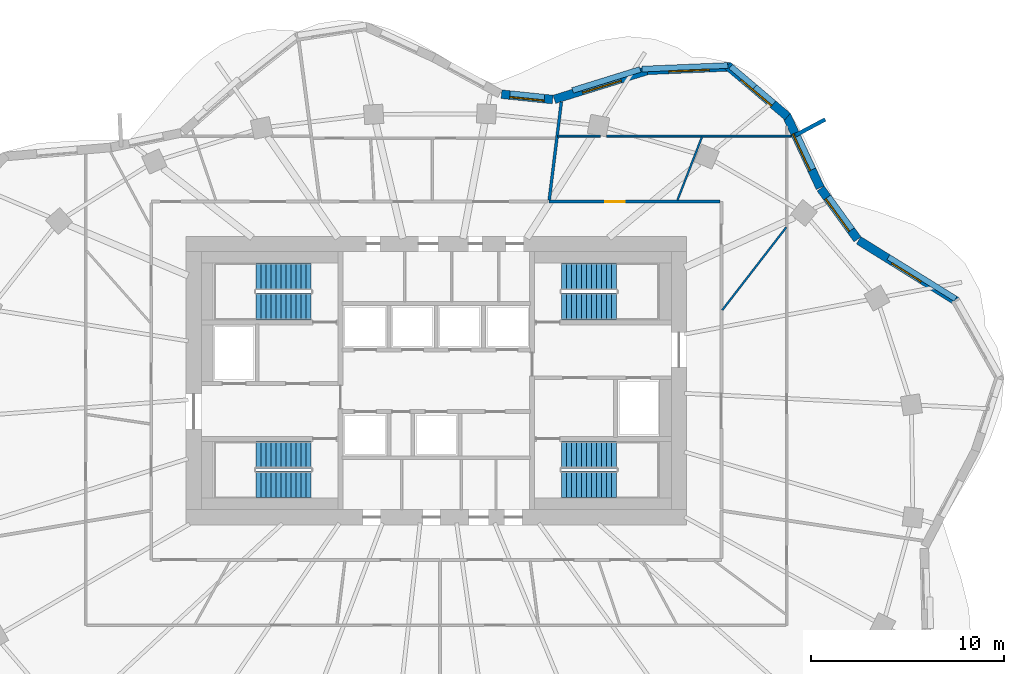
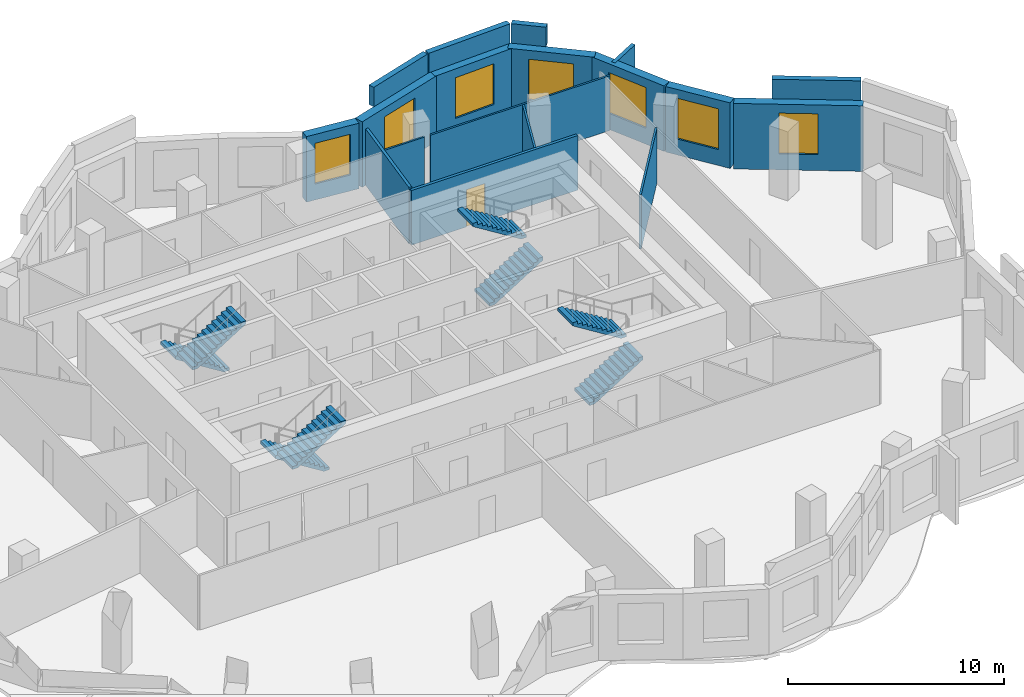
# One storey, part 8 of 9: 18 walls, 8 stair flights, 7 windows, 1 door, 8 openings, 4 elements without a shape of their own.
"""IFC4 building model written with IfcOpenShell, lengths in metres."""

from ifc_helpers import new_model, si_unit, direction, frame, frame_2d, origin, place, context, subcontext, project, spatial, polyline, rectangle, outline, extrude, material, layer, layer_set, type_object, element, fill, aggregate, save


model = new_model("IFC4")

# Units and contexts
model_context = context("Model", 3, precision=1e-05, world=origin(), true_north=direction((0.0, 1.0)))
body_context = subcontext(model_context, "Body", "Model", "MODEL_VIEW")
ifc_project = project(units=[si_unit("LENGTHUNIT", "METRE"), si_unit("AREAUNIT", "SQUARE_METRE"), si_unit("VOLUMEUNIT", "CUBIC_METRE"), si_unit("PLANEANGLEUNIT", "RADIAN"), si_unit("MASSUNIT", "GRAM", prefix="KILO")], contexts=[model_context])

# Site, building, storey
site_placement = place(None, origin())
site = spatial("IfcSite", under=ifc_project, at=site_placement, CompositionType="ELEMENT")
building_placement = place(site_placement, origin())
building = spatial("IfcBuilding", under=site, at=building_placement, Name="Rubra Terraces Tower", CompositionType="ELEMENT")
storey_placement = place(building_placement, frame((0.0, 0.0, 225.300048828125)))
storey = spatial("IfcBuildingStorey", under=building, at=storey_placement, Name="L55", CompositionType="ELEMENT", Elevation=225.300048828125)

# Wall, opening, window
ifc_material_1 = material(Name="Brick masonry red-brown", Category="masonry")
ifc_layer_1 = layer(ifc_material_1, 0.449951171875)
ifc_layer_set_1 = layer_set([ifc_layer_1], Name="Brick masonry red-brown")
wall_type_1 = type_object("IfcWallType", Name="Brick facade wall 450", PredefinedType="SOLIDWALL", material=ifc_layer_set_1)
wall_1_placement = place(storey_placement, frame((27.01611328125, 8.6259765625, 0.0), z_axis=(0.0, 0.0, 1.0), x_axis=(-0.849198377377, 0.528073968172, 0.0)))
wall_1 = element("IfcWall", 1, at=wall_1_placement, inside=storey, type_object=wall_type_1, Name="Facade wall L55 bay 3", PredefinedType="SOLIDWALL", context=body_context, shape_type="SweptSolid", body=[
    extrude(rectangle(XDim=5.989501953125, YDim=0.449951171875, at=frame_2d((2.99462890625, 0.0))), origin(), (0.0, 0.0, 1.0), 3.699951171875),
])
opening_1_placement = place(wall_1_placement, frame((2.0947265625, 0.0, 0.89990234375)))
opening_1 = element("IfcOpeningElement", 2, at=opening_1_placement, cuts=wall_1, Name="Opening W6B", PredefinedType="OPENING", context=body_context, shape_type="SweptSolid", body=[
    extrude(rectangle(XDim=1.800048828125, YDim=2.300048828125, at=frame_2d((0.89990234375, 1.14990234375))), frame((0.0, 0.23486328125, 0.0), z_axis=(0.0, -1.0, 0.0), x_axis=(1.0, 0.0, 0.0)), (0.0, 0.0, 1.0), 0.469970703125),
])
ifc_material_2 = material(Name="Clear glass in aluminium frame", Category="aluminium")
window_type_1 = type_object("IfcWindowType", Name="Fixed deep-set window at wind fin tall storey 1800 x 2300", PartitioningType="SINGLE_PANEL", PredefinedType="WINDOW", material=ifc_material_2)
window_1_placement = place(opening_1_placement, origin())
window_1 = element("IfcWindow", 3, at=window_1_placement, inside=storey, type_object=window_type_1, Name="Window L55 bay 3", OverallHeight=2.300048828125, OverallWidth=1.800048828125, PartitioningType="SINGLE_PANEL", PredefinedType="WINDOW", context=body_context, shape_type="SweptSolid", body=[
    extrude(rectangle(XDim=1.800048828125, YDim=2.300048828125, at=frame_2d((0.89990234375, 1.14990234375))), frame((0.0, 0.135009765625, 0.0), z_axis=(0.0, -1.0, 0.0), x_axis=(1.0, 0.0, 0.0)), (0.0, 0.0, 1.0), 0.06005859375),
])
fill(opening_1, window_1)

wall_2_placement = place(storey_placement, frame((21.872314453125, 11.840576171875, 0.0), z_axis=(0.0, 0.0, 1.0), x_axis=(-0.587562050363, 0.809179113036, 0.0)))
wall_2 = element("IfcWall", 4, at=wall_2_placement, inside=storey, type_object=wall_type_1, Name="Facade wall L55 bay 4", PredefinedType="SOLIDWALL", context=body_context, shape_type="SweptSolid", body=[
    extrude(rectangle(XDim=3.262939453125, YDim=0.449951171875, at=frame_2d((1.63134765625, 0.0))), origin(), (0.0, 0.0, 1.0), 3.699951171875),
])
opening_2_placement = place(wall_2_placement, frame((0.58154296875, 0.0, 0.89990234375)))
opening_2 = element("IfcOpeningElement", 5, at=opening_2_placement, cuts=wall_2, Name="Opening W1B", PredefinedType="OPENING", context=body_context, shape_type="SweptSolid", body=[
    extrude(rectangle(XDim=2.10009765625, YDim=2.300048828125, at=frame_2d((1.050048828125, 1.14990234375))), frame((0.0, 0.23486328125, 0.0), z_axis=(0.0, -1.0, 0.0), x_axis=(1.0, 0.0, 0.0)), (0.0, 0.0, 1.0), 0.469970703125),
])
window_type_2 = type_object("IfcWindowType", Name="Fixed deep-set window tall storey 2100 x 2300", PartitioningType="SINGLE_PANEL", PredefinedType="WINDOW", material=ifc_material_2)
window_2_placement = place(opening_2_placement, origin())
window_2 = element("IfcWindow", 6, at=window_2_placement, inside=storey, type_object=window_type_2, Name="Window L55 bay 4", OverallHeight=2.300048828125, OverallWidth=2.10009765625, PartitioningType="SINGLE_PANEL", PredefinedType="WINDOW", context=body_context, shape_type="SweptSolid", body=[
    extrude(rectangle(XDim=2.10009765625, YDim=2.300048828125, at=frame_2d((1.050048828125, 1.14990234375))), frame((0.0, 0.135009765625, 0.0), z_axis=(0.0, -1.0, 0.0), x_axis=(1.0, 0.0, 0.0)), (0.0, 0.0, 1.0), 0.06005859375),
])
fill(opening_2, window_2)

wall_3_placement = place(storey_placement, frame((19.9306640625, 14.519287109375, 0.0), z_axis=(0.0, 0.0, 1.0), x_axis=(-0.421138964136, 0.906996126169, 0.0)))
wall_3 = element("IfcWall", 7, at=wall_3_placement, inside=storey, type_object=wall_type_1, Name="Facade wall L55 bay 5", PredefinedType="SOLIDWALL", context=body_context, shape_type="SweptSolid", body=[
    extrude(rectangle(XDim=4.149658203125, YDim=0.449951171875, at=frame_2d((2.07470703125, 0.0))), origin(), (0.0, 0.0, 1.0), 3.699951171875),
])
opening_3_placement = place(wall_3_placement, frame((1.02490234375, 0.0, 0.89990234375)))
opening_3 = element("IfcOpeningElement", 8, at=opening_3_placement, cuts=wall_3, Name="Opening W1B", PredefinedType="OPENING", context=body_context, shape_type="SweptSolid", body=[
    extrude(rectangle(XDim=2.10009765625, YDim=2.300048828125, at=frame_2d((1.050048828125, 1.14990234375))), frame((0.0, 0.23486328125, 0.0), z_axis=(0.0, -1.0, 0.0), x_axis=(1.0, 0.0, 0.0)), (0.0, 0.0, 1.0), 0.469970703125),
])
window_3_placement = place(opening_3_placement, origin())
window_3 = element("IfcWindow", 9, at=window_3_placement, inside=storey, type_object=window_type_2, Name="Window L55 bay 5", OverallHeight=2.300048828125, OverallWidth=2.10009765625, PartitioningType="SINGLE_PANEL", PredefinedType="WINDOW", context=body_context, shape_type="SweptSolid", body=[
    extrude(rectangle(XDim=2.10009765625, YDim=2.300048828125, at=frame_2d((1.050048828125, 1.14990234375))), frame((0.0, 0.135009765625, 0.0), z_axis=(0.0, -1.0, 0.0), x_axis=(1.0, 0.0, 0.0)), (0.0, 0.0, 1.0), 0.06005859375),
])
fill(opening_3, window_3)

wall_4_placement = place(storey_placement, frame((18.23828125, 18.21240234375, 0.0), z_axis=(0.0, 0.0, 1.0), x_axis=(-0.762479604733, 0.647012250554, 0.0)))
wall_4 = element("IfcWall", 10, at=wall_4_placement, inside=storey, type_object=wall_type_1, Name="Facade wall L55 bay 6", PredefinedType="SOLIDWALL", context=body_context, shape_type="SweptSolid", body=[
    extrude(rectangle(XDim=4.07861328125, YDim=0.449951171875, at=frame_2d((2.039306640625, 0.0))), origin(), (0.0, 0.0, 1.0), 3.699951171875),
])
opening_4_placement = place(wall_4_placement, frame((0.989501953125, 0.0, 0.89990234375)))
opening_4 = element("IfcOpeningElement", 11, at=opening_4_placement, cuts=wall_4, Name="Opening W1B", PredefinedType="OPENING", context=body_context, shape_type="SweptSolid", body=[
    extrude(rectangle(XDim=2.10009765625, YDim=2.300048828125, at=frame_2d((1.050048828125, 1.14990234375))), frame((0.0, 0.23486328125, 0.0), z_axis=(0.0, -1.0, 0.0), x_axis=(1.0, 0.0, 0.0)), (0.0, 0.0, 1.0), 0.469970703125),
])
window_4_placement = place(opening_4_placement, origin())
window_4 = element("IfcWindow", 12, at=window_4_placement, inside=storey, type_object=window_type_2, Name="Window L55 bay 6", OverallHeight=2.300048828125, OverallWidth=2.10009765625, PartitioningType="SINGLE_PANEL", PredefinedType="WINDOW", context=body_context, shape_type="SweptSolid", body=[
    extrude(rectangle(XDim=2.10009765625, YDim=2.300048828125, at=frame_2d((1.050048828125, 1.14990234375))), frame((0.0, 0.135009765625, 0.0), z_axis=(0.0, -1.0, 0.0), x_axis=(1.0, 0.0, 0.0)), (0.0, 0.0, 1.0), 0.06005859375),
])
fill(opening_4, window_4)

wall_5_placement = place(storey_placement, frame((15.283447265625, 20.798095703125, 0.0), z_axis=(0.0, 0.0, 1.0), x_axis=(-0.999108814386, -0.042208731526, 0.0)))
wall_5 = element("IfcWall", 13, at=wall_5_placement, inside=storey, type_object=wall_type_1, Name="Facade wall L55 bay 7", PredefinedType="SOLIDWALL", context=body_context, shape_type="SweptSolid", body=[
    extrude(rectangle(XDim=4.338134765625, YDim=0.449951171875, at=frame_2d((2.1689453125, 0.0))), origin(), (0.0, 0.0, 1.0), 3.699951171875),
])
opening_5_placement = place(wall_5_placement, frame((1.119140625, 0.0, 0.89990234375)))
opening_5 = element("IfcOpeningElement", 14, at=opening_5_placement, cuts=wall_5, Name="Opening W1B", PredefinedType="OPENING", context=body_context, shape_type="SweptSolid", body=[
    extrude(rectangle(XDim=2.10009765625, YDim=2.300048828125, at=frame_2d((1.050048828125, 1.14990234375))), frame((0.0, 0.23486328125, 0.0), z_axis=(0.0, -1.0, 0.0), x_axis=(1.0, 0.0, 0.0)), (0.0, 0.0, 1.0), 0.469970703125),
])
window_5_placement = place(opening_5_placement, origin())
window_5 = element("IfcWindow", 15, at=window_5_placement, inside=storey, type_object=window_type_2, Name="Window L55 bay 7", OverallHeight=2.300048828125, OverallWidth=2.10009765625, PartitioningType="SINGLE_PANEL", PredefinedType="WINDOW", context=body_context, shape_type="SweptSolid", body=[
    extrude(rectangle(XDim=2.10009765625, YDim=2.300048828125, at=frame_2d((1.050048828125, 1.14990234375))), frame((0.0, 0.135009765625, 0.0), z_axis=(0.0, -1.0, 0.0), x_axis=(1.0, 0.0, 0.0)), (0.0, 0.0, 1.0), 0.06005859375),
])
fill(opening_5, window_5)

wall_6_placement = place(storey_placement, frame((11.006591796875, 20.625, 0.0), z_axis=(0.0, 0.0, 1.0), x_axis=(-0.954949254112, -0.296769139352, 0.0)))
wall_6 = element("IfcWall", 16, at=wall_6_placement, inside=storey, type_object=wall_type_1, Name="Facade wall L55 bay 8", PredefinedType="SOLIDWALL", context=body_context, shape_type="SweptSolid", body=[
    extrude(rectangle(XDim=5.106201171875, YDim=0.449951171875, at=frame_2d((2.55322265625, 0.0))), origin(), (0.0, 0.0, 1.0), 3.699951171875),
])
opening_6_placement = place(wall_6_placement, frame((1.503173828125, 0.0, 0.89990234375)))
opening_6 = element("IfcOpeningElement", 17, at=opening_6_placement, cuts=wall_6, Name="Opening W1B", PredefinedType="OPENING", context=body_context, shape_type="SweptSolid", body=[
    extrude(rectangle(XDim=2.10009765625, YDim=2.300048828125, at=frame_2d((1.050048828125, 1.14990234375))), frame((0.0, 0.23486328125, 0.0), z_axis=(0.0, -1.0, 0.0), x_axis=(1.0, 0.0, 0.0)), (0.0, 0.0, 1.0), 0.469970703125),
])
window_6_placement = place(opening_6_placement, origin())
window_6 = element("IfcWindow", 18, at=window_6_placement, inside=storey, type_object=window_type_2, Name="Window L55 bay 8", OverallHeight=2.300048828125, OverallWidth=2.10009765625, PartitioningType="SINGLE_PANEL", PredefinedType="WINDOW", context=body_context, shape_type="SweptSolid", body=[
    extrude(rectangle(XDim=2.10009765625, YDim=2.300048828125, at=frame_2d((1.050048828125, 1.14990234375))), frame((0.0, 0.135009765625, 0.0), z_axis=(0.0, -1.0, 0.0), x_axis=(1.0, 0.0, 0.0)), (0.0, 0.0, 1.0), 0.06005859375),
])
fill(opening_6, window_6)

wall_7_placement = place(storey_placement, frame((6.040283203125, 19.1005859375, 0.0), z_axis=(0.0, 0.0, 1.0), x_axis=(-0.994675968472, 0.103052014752, 0.0)))
wall_7 = element("IfcWall", 19, at=wall_7_placement, inside=storey, type_object=wall_type_1, Name="Facade wall L55 bay 9", PredefinedType="SOLIDWALL", context=body_context, shape_type="SweptSolid", body=[
    extrude(rectangle(XDim=2.669921875, YDim=0.449951171875, at=frame_2d((1.3349609375, 0.0))), origin(), (0.0, 0.0, 1.0), 3.699951171875),
])
opening_7_placement = place(wall_7_placement, frame((0.43505859375, 0.0, 0.89990234375)))
opening_7 = element("IfcOpeningElement", 20, at=opening_7_placement, cuts=wall_7, Name="Opening W6B", PredefinedType="OPENING", context=body_context, shape_type="SweptSolid", body=[
    extrude(rectangle(XDim=1.800048828125, YDim=2.300048828125, at=frame_2d((0.89990234375, 1.14990234375))), frame((0.0, 0.23486328125, 0.0), z_axis=(0.0, -1.0, 0.0), x_axis=(1.0, 0.0, 0.0)), (0.0, 0.0, 1.0), 0.469970703125),
])
window_7_placement = place(opening_7_placement, origin())
window_7 = element("IfcWindow", 21, at=window_7_placement, inside=storey, type_object=window_type_1, Name="Window L55 bay 9", OverallHeight=2.300048828125, OverallWidth=1.800048828125, PartitioningType="SINGLE_PANEL", PredefinedType="WINDOW", context=body_context, shape_type="SweptSolid", body=[
    extrude(rectangle(XDim=1.800048828125, YDim=2.300048828125, at=frame_2d((0.89990234375, 1.14990234375))), frame((0.0, 0.135009765625, 0.0), z_axis=(0.0, -1.0, 0.0), x_axis=(1.0, 0.0, 0.0)), (0.0, 0.0, 1.0), 0.06005859375),
])
fill(opening_7, window_7)

# Walls
ifc_layer_2 = layer(ifc_material_1, 0.300048828125)
ifc_layer_set_2 = layer_set([ifc_layer_2], Name="Brick masonry red-brown")
wall_type_2 = type_object("IfcWallType", Name="Brick parapet 300", PredefinedType="PARAPET", material=ifc_layer_set_2)
wall_8_placement = place(storey_placement, frame((26.965087890625, 8.74609375, 3.89990234375), z_axis=(0.0, 0.0, 1.0), x_axis=(-0.849203312007, 0.528066032686, 0.0)))
element("IfcWall", 22, at=wall_8_placement, inside=storey, type_object=wall_type_2, Name="Parapet L55 bay 3", PredefinedType="PARAPET", context=body_context, shape_type="SweptSolid", body=[
    extrude(rectangle(XDim=4.11279296875, YDim=0.300048828125, at=frame_2d((2.056396484375, 0.0))), origin(), (0.0, 0.0, 1.0), 1.10009765625),
])
wall_9_placement = place(storey_placement, frame((16.54150390625, 19.75048828125, 3.89990234375), z_axis=(0.0, 0.0, 1.0), x_axis=(-0.762426907318, 0.647074347349, 0.0)))
element("IfcWall", 23, at=wall_9_placement, inside=storey, type_object=wall_type_2, Name="Parapet L55 bay 6", PredefinedType="PARAPET", context=body_context, shape_type="SweptSolid", body=[
    extrude(rectangle(XDim=1.642333984375, YDim=0.300048828125, at=frame_2d((0.8212890625, 0.0))), origin(), (0.0, 0.0, 1.0), 1.10009765625),
])
wall_10_placement = place(storey_placement, frame((15.133056640625, 20.866943359375, 3.89990234375), z_axis=(0.0, 0.0, 1.0), x_axis=(-0.999109914186, -0.042182690458, 0.0)))
element("IfcWall", 24, at=wall_10_placement, inside=storey, type_object=wall_type_2, Name="Parapet L55 bay 7", PredefinedType="PARAPET", context=body_context, shape_type="SweptSolid", body=[
    extrude(rectangle(XDim=4.45068359375, YDim=0.300048828125, at=frame_2d((2.225341796875, 0.0))), origin(), (0.0, 0.0, 1.0), 1.10009765625),
])
wall_11_placement = place(storey_placement, frame((10.589599609375, 20.662353515625, 3.89990234375), z_axis=(0.0, 0.0, 1.0), x_axis=(-0.954933257017, -0.296820610207, 0.0)))
element("IfcWall", 25, at=wall_11_placement, inside=storey, type_object=wall_type_2, Name="Parapet L55 bay 8", PredefinedType="PARAPET", context=body_context, shape_type="SweptSolid", body=[
    extrude(rectangle(XDim=3.6806640625, YDim=0.300048828125, at=frame_2d((1.84033203125, 0.0))), origin(), (0.0, 0.0, 1.0), 1.10009765625),
])
ifc_layer_3 = layer(ifc_material_1, 0.199951171875)
ifc_layer_set_3 = layer_set([ifc_layer_3], Name="Brick masonry red-brown")
wall_type_3 = type_object("IfcWallType", Name="Brick wind fin 200", PredefinedType="SOLIDWALL", material=ifc_layer_set_3)
wall_12_placement = place(storey_placement, frame((18.65087890625, 17.242919921875, 0.0), z_axis=(0.0, 0.0, 1.0), x_axis=(0.882225472329, 0.470827161466, 0.0)))
element("IfcWall", 26, at=wall_12_placement, inside=storey, type_object=wall_type_3, Name="Wind fin L55 3", PredefinedType="SOLIDWALL", context=body_context, shape_type="SweptSolid", body=[
    extrude(rectangle(XDim=1.75, YDim=0.199951171875, at=frame_2d((0.875, 0.0))), origin(), (0.0, 0.0, 1.0), 3.699951171875),
])

# Wall, opening, door
ifc_material_3 = material(Name="Plasterboard on steel stud, mineral wool infill", Category="steel")
ifc_layer_4 = layer(ifc_material_3, 0.14990234375)
ifc_layer_set_4 = layer_set([ifc_layer_4], Name="Plasterboard on steel stud, mineral wool infill")
wall_type_4 = type_object("IfcWallType", Name="CORRIDOR PARTITION 150", PredefinedType="PARTITIONING", material=ifc_layer_set_4)
wall_13_placement = place(storey_placement, frame((14.72509765625, 13.800048828125, 0.0), z_axis=(0.0, 0.0, 1.0), x_axis=(-1.0, 0.0, 0.0)))
wall_13 = element("IfcWall", 27, at=wall_13_placement, inside=storey, type_object=wall_type_4, Name="PARTITION", PredefinedType="PARTITIONING", context=body_context, shape_type="SweptSolid", body=[
    extrude(rectangle(XDim=8.873291015625, YDim=0.14990234375, at=frame_2d((4.4365234375, 0.0))), origin(), (0.0, 0.0, 1.0), 3.083984375),
])
opening_8_placement = place(wall_13_placement, frame((4.949951171875, 0.0, 0.0)))
opening_8 = element("IfcOpeningElement", 28, at=opening_8_placement, cuts=wall_13, Name="Opening 55-125", PredefinedType="OPENING", context=body_context, shape_type="SweptSolid", body=[
    extrude(rectangle(XDim=1.0, YDim=2.10009765625, at=frame_2d((0.5, 1.050048828125))), frame((0.0, 0.0849609375, 0.0), z_axis=(0.0, -1.0, 0.0), x_axis=(1.0, 0.0, 0.0)), (0.0, 0.0, 1.0), 0.169921875),
])
ifc_material_4 = material(Name="Painted timber door leaf", Category="wood")
door_type = type_object("IfcDoorType", Name="ROOM DOOR 1000 X 2100", OperationType="SINGLE_SWING_LEFT", PredefinedType="DOOR", material=ifc_material_4)
door_placement = place(opening_8_placement, origin())
door = element("IfcDoor", 29, at=door_placement, inside=storey, type_object=door_type, Name="DOOR 55-125", OperationType="SINGLE_SWING_RIGHT", OverallHeight=2.10009765625, OverallWidth=1.0, PredefinedType="DOOR", context=body_context, shape_type="SweptSolid", body=[
    extrude(rectangle(XDim=1.0, YDim=2.10009765625, at=frame_2d((0.5, 1.050048828125))), frame((0.0, 0.02490234375, 0.0), z_axis=(0.0, -1.0, 0.0), x_axis=(1.0, 0.0, 0.0)), (0.0, 0.0, 1.0), 0.050048828125),
])
fill(opening_8, door)

# Walls
ifc_material_5 = material(Name="Plasterboard on steel stud", Category="steel")
ifc_layer_5 = layer(ifc_material_5, 0.10009765625)
ifc_layer_set_5 = layer_set([ifc_layer_5], Name="Plasterboard on steel stud")
wall_type_5 = type_object("IfcWallType", Name="ROOM PARTITION 100", PredefinedType="PARTITIONING", material=ifc_layer_set_5)
wall_14_placement = place(storey_placement, frame((6.292724609375, 17.199951171875, 0.0), z_axis=(0.0, 0.0, 1.0), x_axis=(1.0, 0.0, 0.0)))
element("IfcWall", 30, at=wall_14_placement, inside=storey, type_object=wall_type_5, Name="PARTITION", PredefinedType="PARTITIONING", context=body_context, shape_type="SweptSolid", body=[
    extrude(rectangle(XDim=2.228515625, YDim=0.10009765625, at=frame_2d((1.1142578125, 0.0))), origin(), (0.0, 0.0, 1.0), 3.083984375),
])
wall_15_placement = place(storey_placement, frame((8.84521484375, 17.199951171875, 0.0), z_axis=(0.0, 0.0, 1.0), x_axis=(1.0, 0.0, 0.0)))
element("IfcWall", 31, at=wall_15_placement, inside=storey, type_object=wall_type_5, Name="PARTITION", PredefinedType="PARTITIONING", context=body_context, shape_type="SweptSolid", body=[
    extrude(rectangle(XDim=9.58251953125, YDim=0.10009765625, at=frame_2d((4.791259765625, 0.0))), origin(), (0.0, 0.0, 1.0), 3.083984375),
])
wall_16_placement = place(storey_placement, frame((14.845947265625, 8.163818359375, 0.0), z_axis=(0.0, 0.0, 1.0), x_axis=(0.611508866017, 0.791237579228, 0.0)))
element("IfcWall", 32, at=wall_16_placement, inside=storey, type_object=wall_type_5, Name="PARTITION", PredefinedType="PARTITIONING", context=body_context, shape_type="SweptSolid", body=[
    extrude(rectangle(XDim=5.434814453125, YDim=0.10009765625, at=frame_2d((2.71728515625, 0.0))), origin(), (0.0, 0.0, 1.0), 3.083984375),
])
wall_17_placement = place(storey_placement, frame((12.51904296875, 13.869873046875, 0.0), z_axis=(0.0, 0.0, 1.0), x_axis=(0.361713546528, 0.932289284642, 0.0)))
element("IfcWall", 33, at=wall_17_placement, inside=storey, type_object=wall_type_5, Name="PARTITION", PredefinedType="PARTITIONING", context=body_context, shape_type="SweptSolid", body=[
    extrude(rectangle(XDim=3.52197265625, YDim=0.10009765625, at=frame_2d((1.760986328125, 0.0))), origin(), (0.0, 0.0, 1.0), 3.083984375),
])
ifc_layer_6 = layer(ifc_material_5, 0.14990234375)
ifc_layer_set_6 = layer_set([ifc_layer_6], Name="Plasterboard on steel stud")
wall_type_6 = type_object("IfcWallType", Name="ROOM PARTITION 150", PredefinedType="PARTITIONING", material=ifc_layer_set_6)
wall_18_placement = place(storey_placement, frame((6.4931640625, 18.982421875, 0.0), z_axis=(0.0, 0.0, 1.0), x_axis=(-0.122808633413, -0.992430370131, 0.0)))
element("IfcWall", 34, at=wall_18_placement, inside=storey, type_object=wall_type_6, Name="PARTITION", PredefinedType="PARTITIONING", context=body_context, shape_type="SweptSolid", body=[
    extrude(rectangle(XDim=5.14697265625, YDim=0.14990234375, at=frame_2d((2.573486328125, 0.0))), origin(), (0.0, 0.0, 1.0), 3.183837890625),
])

# Stair, stair flights
ifc_material_6 = material(Name="Concrete C40", Category="concrete")
stair_type = type_object("IfcStairType", Name="Core stair 1400", PredefinedType="HALF_TURN_STAIR", material=ifc_material_6)
stair_1_placement = place(storey_placement, origin())
stair_1 = element("IfcStair", 35, at=stair_1_placement, inside=storey, type_object=stair_type, Name="L55 Exit stair S1", PredefinedType="HALF_TURN_STAIR")
stair_flight_type = type_object("IfcStairFlightType", Name="Core stair flight 1400", PredefinedType="STRAIGHT", material=ifc_material_6)
stair_flight_1_placement = place(storey_placement, frame((-6.5, 0.64990234375, 0.0), z_axis=(0.0, 0.0, 1.0), x_axis=(-1.0, 0.0, 0.0)))
stair_flight_1 = element("IfcStairFlight", 36, at=stair_flight_1_placement, type_object=stair_flight_type, Name="S1 flight 1", NumberOfRisers=12, NumberOfTreads=11, PredefinedType="STRAIGHT", RiserHeight=0.1625, TreadLength=0.26, context=body_context, shape_type="SweptSolid", body=[
    extrude(outline(polyline([(0.0, 0.0), (0.0, 0.16259765625), (0.260009765625, 0.16259765625), (0.260009765625, 0.324951171875), (0.52001953125, 0.324951171875), (0.52001953125, 0.487548828125), (0.780029296875, 0.487548828125), (0.780029296875, 0.64990234375), (1.0400390625, 0.64990234375), (1.0400390625, 0.8125), (1.300048828125, 0.8125), (1.300048828125, 0.97509765625), (1.56005859375, 0.97509765625), (1.56005859375, 1.137451171875), (1.820068359375, 1.137451171875), (1.820068359375, 1.300048828125), (2.080078125, 1.300048828125), (2.080078125, 1.46240234375), (2.340087890625, 1.46240234375), (2.340087890625, 1.625), (2.60009765625, 1.625), (2.60009765625, 1.78759765625), (2.860107421875, 1.78759765625), (2.860107421875, 1.949951171875), (2.860107421875, 1.61083984375), (0.28271484375, 0.0), (0.0, 0.0)])), frame((0.0, 0.699951171875, 0.0), z_axis=(0.0, -1.0, 0.0), x_axis=(1.0, 0.0, 0.0)), (0.0, 0.0, 1.0), 1.39990234375),
])
stair_flight_2_placement = place(storey_placement, frame((-9.360107421875, -0.89990234375, 1.949951171875), z_axis=(0.0, 0.0, 1.0), x_axis=(1.0, 0.0, 0.0)))
stair_flight_2 = element("IfcStairFlight", 37, at=stair_flight_2_placement, type_object=stair_flight_type, Name="S1 flight 2", NumberOfRisers=12, NumberOfTreads=11, PredefinedType="STRAIGHT", RiserHeight=0.1625, TreadLength=0.26, context=body_context, shape_type="SweptSolid", body=[
    extrude(outline(polyline([(0.0, 0.0), (0.0, 0.16259765625), (0.260009765625, 0.16259765625), (0.260009765625, 0.324951171875), (0.52001953125, 0.324951171875), (0.52001953125, 0.487548828125), (0.780029296875, 0.487548828125), (0.780029296875, 0.64990234375), (1.0400390625, 0.64990234375), (1.0400390625, 0.8125), (1.300048828125, 0.8125), (1.300048828125, 0.97509765625), (1.56005859375, 0.97509765625), (1.56005859375, 1.137451171875), (1.820068359375, 1.137451171875), (1.820068359375, 1.300048828125), (2.080078125, 1.300048828125), (2.080078125, 1.46240234375), (2.340087890625, 1.46240234375), (2.340087890625, 1.625), (2.60009765625, 1.625), (2.60009765625, 1.78759765625), (2.860107421875, 1.78759765625), (2.860107421875, 1.949951171875), (2.860107421875, 1.61083984375), (0.28271484375, 0.0), (0.0, 0.0)])), frame((0.0, 0.699951171875, 0.0), z_axis=(0.0, -1.0, 0.0), x_axis=(1.0, 0.0, 0.0)), (0.0, 0.0, 1.0), 1.39990234375),
])
aggregate(stair_1, [stair_flight_1, stair_flight_2])

stair_2_placement = place(storey_placement, origin())
stair_2 = element("IfcStair", 38, at=stair_2_placement, inside=storey, type_object=stair_type, Name="L55 Exit stair S2", PredefinedType="HALF_TURN_STAIR")
stair_flight_3_placement = place(storey_placement, frame((-6.5, 9.89990234375, 0.0), z_axis=(0.0, 0.0, 1.0), x_axis=(-1.0, 0.0, 0.0)))
stair_flight_3 = element("IfcStairFlight", 39, at=stair_flight_3_placement, type_object=stair_flight_type, Name="S2 flight 1", NumberOfRisers=12, NumberOfTreads=11, PredefinedType="STRAIGHT", RiserHeight=0.1625, TreadLength=0.26, context=body_context, shape_type="SweptSolid", body=[
    extrude(outline(polyline([(0.0, 0.0), (0.0, 0.16259765625), (0.260009765625, 0.16259765625), (0.260009765625, 0.324951171875), (0.52001953125, 0.324951171875), (0.52001953125, 0.487548828125), (0.780029296875, 0.487548828125), (0.780029296875, 0.64990234375), (1.0400390625, 0.64990234375), (1.0400390625, 0.8125), (1.300048828125, 0.8125), (1.300048828125, 0.97509765625), (1.56005859375, 0.97509765625), (1.56005859375, 1.137451171875), (1.820068359375, 1.137451171875), (1.820068359375, 1.300048828125), (2.080078125, 1.300048828125), (2.080078125, 1.46240234375), (2.340087890625, 1.46240234375), (2.340087890625, 1.625), (2.60009765625, 1.625), (2.60009765625, 1.78759765625), (2.860107421875, 1.78759765625), (2.860107421875, 1.949951171875), (2.860107421875, 1.61083984375), (0.28271484375, 0.0), (0.0, 0.0)])), frame((0.0, 0.699951171875, 0.0), z_axis=(0.0, -1.0, 0.0), x_axis=(1.0, 0.0, 0.0)), (0.0, 0.0, 1.0), 1.39990234375),
])
stair_flight_4_placement = place(storey_placement, frame((-9.360107421875, 8.35009765625, 1.949951171875), z_axis=(0.0, 0.0, 1.0), x_axis=(1.0, 0.0, 0.0)))
stair_flight_4 = element("IfcStairFlight", 40, at=stair_flight_4_placement, type_object=stair_flight_type, Name="S2 flight 2", NumberOfRisers=12, NumberOfTreads=11, PredefinedType="STRAIGHT", RiserHeight=0.1625, TreadLength=0.26, context=body_context, shape_type="SweptSolid", body=[
    extrude(outline(polyline([(0.0, 0.0), (0.0, 0.16259765625), (0.260009765625, 0.16259765625), (0.260009765625, 0.324951171875), (0.52001953125, 0.324951171875), (0.52001953125, 0.487548828125), (0.780029296875, 0.487548828125), (0.780029296875, 0.64990234375), (1.0400390625, 0.64990234375), (1.0400390625, 0.8125), (1.300048828125, 0.8125), (1.300048828125, 0.97509765625), (1.56005859375, 0.97509765625), (1.56005859375, 1.137451171875), (1.820068359375, 1.137451171875), (1.820068359375, 1.300048828125), (2.080078125, 1.300048828125), (2.080078125, 1.46240234375), (2.340087890625, 1.46240234375), (2.340087890625, 1.625), (2.60009765625, 1.625), (2.60009765625, 1.78759765625), (2.860107421875, 1.78759765625), (2.860107421875, 1.949951171875), (2.860107421875, 1.61083984375), (0.28271484375, 0.0), (0.0, 0.0)])), frame((0.0, 0.699951171875, 0.0), z_axis=(0.0, -1.0, 0.0), x_axis=(1.0, 0.0, 0.0)), (0.0, 0.0, 1.0), 1.39990234375),
])
aggregate(stair_2, [stair_flight_3, stair_flight_4])

stair_3_placement = place(storey_placement, origin())
stair_3 = element("IfcStair", 41, at=stair_3_placement, inside=storey, type_object=stair_type, Name="L55 Exit stair S3", PredefinedType="HALF_TURN_STAIR")
stair_flight_5_placement = place(storey_placement, frame((6.5, 8.35009765625, 0.0), z_axis=(0.0, 0.0, 1.0), x_axis=(1.0, 0.0, 0.0)))
stair_flight_5 = element("IfcStairFlight", 42, at=stair_flight_5_placement, type_object=stair_flight_type, Name="S3 flight 1", NumberOfRisers=12, NumberOfTreads=11, PredefinedType="STRAIGHT", RiserHeight=0.1625, TreadLength=0.26, context=body_context, shape_type="SweptSolid", body=[
    extrude(outline(polyline([(0.0, 0.0), (0.0, 0.16259765625), (0.260009765625, 0.16259765625), (0.260009765625, 0.324951171875), (0.52001953125, 0.324951171875), (0.52001953125, 0.487548828125), (0.780029296875, 0.487548828125), (0.780029296875, 0.64990234375), (1.0400390625, 0.64990234375), (1.0400390625, 0.8125), (1.300048828125, 0.8125), (1.300048828125, 0.97509765625), (1.56005859375, 0.97509765625), (1.56005859375, 1.137451171875), (1.820068359375, 1.137451171875), (1.820068359375, 1.300048828125), (2.080078125, 1.300048828125), (2.080078125, 1.46240234375), (2.340087890625, 1.46240234375), (2.340087890625, 1.625), (2.60009765625, 1.625), (2.60009765625, 1.78759765625), (2.860107421875, 1.78759765625), (2.860107421875, 1.949951171875), (2.860107421875, 1.61083984375), (0.28271484375, 0.0), (0.0, 0.0)])), frame((0.0, 0.699951171875, 0.0), z_axis=(0.0, -1.0, 0.0), x_axis=(1.0, 0.0, 0.0)), (0.0, 0.0, 1.0), 1.39990234375),
])
stair_flight_6_placement = place(storey_placement, frame((9.360107421875, 9.89990234375, 1.949951171875), z_axis=(0.0, 0.0, 1.0), x_axis=(-1.0, 0.0, 0.0)))
stair_flight_6 = element("IfcStairFlight", 43, at=stair_flight_6_placement, type_object=stair_flight_type, Name="S3 flight 2", NumberOfRisers=12, NumberOfTreads=11, PredefinedType="STRAIGHT", RiserHeight=0.1625, TreadLength=0.26, context=body_context, shape_type="SweptSolid", body=[
    extrude(outline(polyline([(0.0, 0.0), (0.0, 0.16259765625), (0.260009765625, 0.16259765625), (0.260009765625, 0.324951171875), (0.52001953125, 0.324951171875), (0.52001953125, 0.487548828125), (0.780029296875, 0.487548828125), (0.780029296875, 0.64990234375), (1.0400390625, 0.64990234375), (1.0400390625, 0.8125), (1.300048828125, 0.8125), (1.300048828125, 0.97509765625), (1.56005859375, 0.97509765625), (1.56005859375, 1.137451171875), (1.820068359375, 1.137451171875), (1.820068359375, 1.300048828125), (2.080078125, 1.300048828125), (2.080078125, 1.46240234375), (2.340087890625, 1.46240234375), (2.340087890625, 1.625), (2.60009765625, 1.625), (2.60009765625, 1.78759765625), (2.860107421875, 1.78759765625), (2.860107421875, 1.949951171875), (2.860107421875, 1.61083984375), (0.28271484375, 0.0), (0.0, 0.0)])), frame((0.0, 0.699951171875, 0.0), z_axis=(0.0, -1.0, 0.0), x_axis=(1.0, 0.0, 0.0)), (0.0, 0.0, 1.0), 1.39990234375),
])
aggregate(stair_3, [stair_flight_5, stair_flight_6])

stair_4_placement = place(storey_placement, origin())
stair_4 = element("IfcStair", 44, at=stair_4_placement, inside=storey, type_object=stair_type, Name="L55 Exit stair S4", PredefinedType="HALF_TURN_STAIR")
stair_flight_7_placement = place(storey_placement, frame((6.5, -0.89990234375, 0.0), z_axis=(0.0, 0.0, 1.0), x_axis=(1.0, 0.0, 0.0)))
stair_flight_7 = element("IfcStairFlight", 45, at=stair_flight_7_placement, type_object=stair_flight_type, Name="S4 flight 1", NumberOfRisers=12, NumberOfTreads=11, PredefinedType="STRAIGHT", RiserHeight=0.1625, TreadLength=0.26, context=body_context, shape_type="SweptSolid", body=[
    extrude(outline(polyline([(0.0, 0.0), (0.0, 0.16259765625), (0.260009765625, 0.16259765625), (0.260009765625, 0.324951171875), (0.52001953125, 0.324951171875), (0.52001953125, 0.487548828125), (0.780029296875, 0.487548828125), (0.780029296875, 0.64990234375), (1.0400390625, 0.64990234375), (1.0400390625, 0.8125), (1.300048828125, 0.8125), (1.300048828125, 0.97509765625), (1.56005859375, 0.97509765625), (1.56005859375, 1.137451171875), (1.820068359375, 1.137451171875), (1.820068359375, 1.300048828125), (2.080078125, 1.300048828125), (2.080078125, 1.46240234375), (2.340087890625, 1.46240234375), (2.340087890625, 1.625), (2.60009765625, 1.625), (2.60009765625, 1.78759765625), (2.860107421875, 1.78759765625), (2.860107421875, 1.949951171875), (2.860107421875, 1.61083984375), (0.28271484375, 0.0), (0.0, 0.0)])), frame((0.0, 0.699951171875, 0.0), z_axis=(0.0, -1.0, 0.0), x_axis=(1.0, 0.0, 0.0)), (0.0, 0.0, 1.0), 1.39990234375),
])
stair_flight_8_placement = place(storey_placement, frame((9.360107421875, 0.64990234375, 1.949951171875), z_axis=(0.0, 0.0, 1.0), x_axis=(-1.0, 0.0, 0.0)))
stair_flight_8 = element("IfcStairFlight", 46, at=stair_flight_8_placement, type_object=stair_flight_type, Name="S4 flight 2", NumberOfRisers=12, NumberOfTreads=11, PredefinedType="STRAIGHT", RiserHeight=0.1625, TreadLength=0.26, context=body_context, shape_type="SweptSolid", body=[
    extrude(outline(polyline([(0.0, 0.0), (0.0, 0.16259765625), (0.260009765625, 0.16259765625), (0.260009765625, 0.324951171875), (0.52001953125, 0.324951171875), (0.52001953125, 0.487548828125), (0.780029296875, 0.487548828125), (0.780029296875, 0.64990234375), (1.0400390625, 0.64990234375), (1.0400390625, 0.8125), (1.300048828125, 0.8125), (1.300048828125, 0.97509765625), (1.56005859375, 0.97509765625), (1.56005859375, 1.137451171875), (1.820068359375, 1.137451171875), (1.820068359375, 1.300048828125), (2.080078125, 1.300048828125), (2.080078125, 1.46240234375), (2.340087890625, 1.46240234375), (2.340087890625, 1.625), (2.60009765625, 1.625), (2.60009765625, 1.78759765625), (2.860107421875, 1.78759765625), (2.860107421875, 1.949951171875), (2.860107421875, 1.61083984375), (0.28271484375, 0.0), (0.0, 0.0)])), frame((0.0, 0.699951171875, 0.0), z_axis=(0.0, -1.0, 0.0), x_axis=(1.0, 0.0, 0.0)), (0.0, 0.0, 1.0), 1.39990234375),
])
aggregate(stair_4, [stair_flight_7, stair_flight_8])

save(model, "model.ifc")
